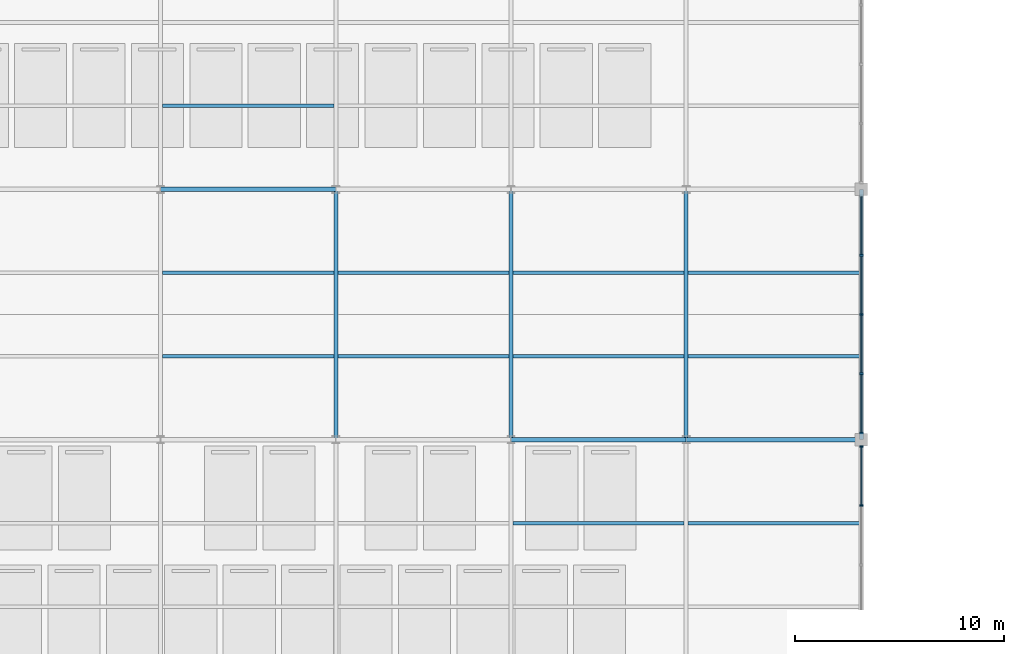
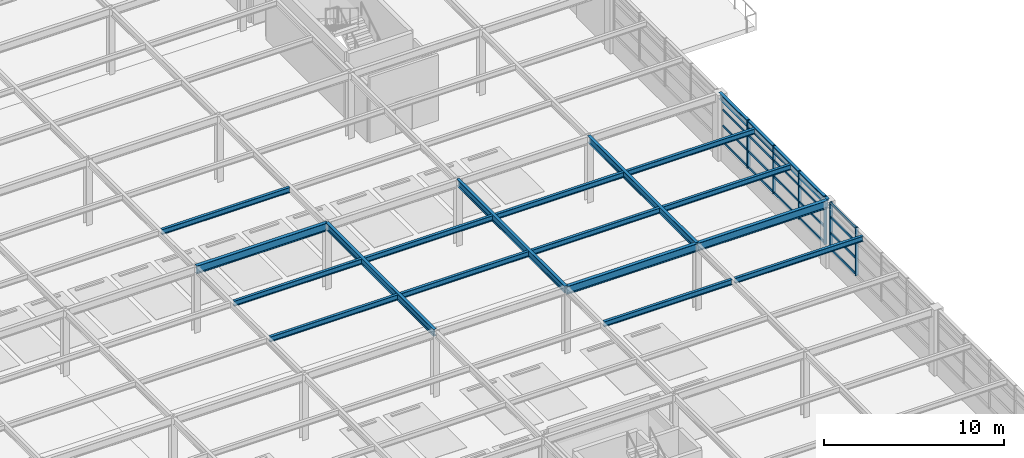
# One storey, part 41 of 82: 26 members, 18 beams, 2 elements without a shape of their own.
"""IFC4 building model written with IfcOpenShell, lengths in metres."""

from ifc_helpers import new_model, si_unit, direction, frame, origin, origin_2d, place, context, subcontext, project, spatial, rectangle, i_section, extrude, material, layer, layer_set, material_profile, profile_set, type_object, element, aggregate, save


model = new_model("IFC4")

# Units and contexts
model_context = context("Model", 3, precision=1e-05, world=origin(), true_north=direction((0.0, 1.0)))
body_context = subcontext(model_context, "Body", "Model", "MODEL_VIEW")
ifc_project = project(units=[si_unit("LENGTHUNIT", "METRE"), si_unit("AREAUNIT", "SQUARE_METRE"), si_unit("VOLUMEUNIT", "CUBIC_METRE"), si_unit("PLANEANGLEUNIT", "RADIAN"), si_unit("MASSUNIT", "GRAM", prefix="KILO")], contexts=[model_context])

# Site, building, storey
site_placement = place(None, origin())
site = spatial("IfcSite", under=ifc_project, at=site_placement, CompositionType="ELEMENT")
building_placement = place(site_placement, origin())
building = spatial("IfcBuilding", under=site, at=building_placement, Name="Sitalva Quay Ferry Terminal", CompositionType="ELEMENT")
storey_placement = place(building_placement, frame((0.0, 0.0, 5.39990234375)))
storey = spatial("IfcBuildingStorey", under=building, at=storey_placement, Name="L02", CompositionType="ELEMENT", Elevation=5.39990234375)

# Beams
ifc_material_1 = material(Name="Structural Steel S355JR", Category="steel")
ifc_material_profile_1 = material_profile(ifc_material_1, i_section(OverallWidth=0.19091796875, OverallDepth=0.4599609375, WebThickness=0.010009765625, FlangeThickness=0.01611328125, FilletRadius=0.013916015625, at=origin_2d()), Name="W460x82")
ifc_profile_set_1 = profile_set([ifc_material_profile_1], Name="Structural Steel S355JR")
beam_type_1 = type_object("IfcBeamType", Name="Beam_W460x82", PredefinedType="BEAM", material=ifc_profile_set_1)
for number, where, z_axis, x_axis, name in (
    (1, (142.800048828125, 42.0, 4.22021484375), (0.0, 1.0, 0.0), (-1.0, 0.0, 0.0), "L02 Primary Y girder 0844"),
    (2, (151.199951171875, 42.0, 4.22021484375), (0.0, 1.0, 0.0), (-1.0, 0.0, 0.0), "L02 Primary Y girder 0849"),
    (3, (159.60009765625, 42.0, 4.22021484375), (0.0, 1.0, 0.0), (-1.0, 0.0, 0.0), "L02 Primary Y girder 0854"),
    (4, (168.0, 42.0, 4.22021484375), (0.0, 1.0, 0.0), (-1.0, 0.0, 0.0), "L02 Primary Y girder 0859"),
):
    element("IfcBeam", number, at=place(storey_placement, frame(where, z_axis=z_axis, x_axis=x_axis)), inside=storey, type_object=beam_type_1, Name=name, PredefinedType="BEAM", context=body_context, shape_type="SweptSolid", body=[
        extrude(i_section(OverallWidth=0.19091796875, OverallDepth=0.4599609375, WebThickness=0.010009765625, FlangeThickness=0.01611328125, FilletRadius=0.013916015625, at=origin_2d()), origin(), (0.0, 0.0, 1.0), 12.0),
    ])
ifc_material_2 = material(Name="Structural Steel S355JR", Category="steel")
ifc_material_profile_2 = material_profile(ifc_material_2, i_section(OverallWidth=0.2119140625, OverallDepth=0.5439453125, WebThickness=0.01318359375, FlangeThickness=0.021240234375, FilletRadius=0.014892578125, at=origin_2d()), Name="W530x123")
ifc_profile_set_2 = profile_set([ifc_material_profile_2], Name="Structural Steel S355JR")
beam_type_2 = type_object("IfcBeamType", Name="Girder_W530x123", PredefinedType="USERDEFINED", material=ifc_profile_set_2)
beam_1_placement = place(storey_placement, frame((151.199951171875, 42.0, 4.177978515625), z_axis=(1.0, 0.0, 0.0), x_axis=(0.0, 1.0, 0.0)))
element("IfcBeam", 5, at=beam_1_placement, inside=storey, type_object=beam_type_2, Name="L02 Primary X girder 0777", ObjectType="GIRDER", PredefinedType="USERDEFINED", context=body_context, shape_type="SweptSolid", body=[
    extrude(i_section(OverallWidth=0.2119140625, OverallDepth=0.5439453125, WebThickness=0.01318359375, FlangeThickness=0.021240234375, FilletRadius=0.014892578125, at=origin_2d()), origin(), (0.0, 0.0, 1.0), 8.400146484375),
])
beam_2_placement = place(storey_placement, frame((159.60009765625, 42.0, 4.177978515625), z_axis=(1.0, 0.0, 0.0), x_axis=(0.0, 1.0, 0.0)))
element("IfcBeam", 6, at=beam_2_placement, inside=storey, type_object=beam_type_2, Name="L02 Primary X girder 0778", ObjectType="GIRDER", PredefinedType="USERDEFINED", context=body_context, shape_type="SweptSolid", body=[
    extrude(i_section(OverallWidth=0.2119140625, OverallDepth=0.5439453125, WebThickness=0.01318359375, FlangeThickness=0.021240234375, FilletRadius=0.014892578125, at=origin_2d()), origin(), (0.0, 0.0, 1.0), 8.39990234375),
])
beam_3_placement = place(storey_placement, frame((134.39990234375, 54.0, 4.177978515625), z_axis=(1.0, 0.0, 0.0), x_axis=(0.0, 1.0, 0.0)))
element("IfcBeam", 7, at=beam_3_placement, inside=storey, type_object=beam_type_2, Name="L02 Primary X girder 0785", ObjectType="GIRDER", PredefinedType="USERDEFINED", context=body_context, shape_type="SweptSolid", body=[
    extrude(i_section(OverallWidth=0.2119140625, OverallDepth=0.5439453125, WebThickness=0.01318359375, FlangeThickness=0.021240234375, FilletRadius=0.014892578125, at=origin_2d()), origin(), (0.0, 0.0, 1.0), 8.400146484375),
])
ifc_material_3 = material(Name="Structural Steel S355JR", Category="steel")
ifc_material_profile_3 = material_profile(ifc_material_3, i_section(OverallWidth=0.172119140625, OverallDepth=0.35791015625, WebThickness=0.0078125, FlangeThickness=0.01318359375, FilletRadius=0.011962890625, at=origin_2d()), Name="W360x57")
ifc_profile_set_3 = profile_set([ifc_material_profile_3], Name="Structural Steel S355JR")
beam_type_3 = type_object("IfcBeamType", Name="Joist_W360x57", PredefinedType="JOIST", material=ifc_profile_set_3)
for number, where, z_axis, x_axis, name in (
    (8, (151.29541015625, 38.0, 4.27099609375), (1.0, 0.0, 0.0), (0.0, 1.0, 0.0), "L02 Secondary joist 0898"),
    (9, (159.695556640625, 38.0, 4.27099609375), (1.0, 0.0, 0.0), (0.0, 1.0, 0.0), "L02 Secondary joist 0899"),
    (10, (134.49560546875, 46.0, 4.27099609375), (1.0, 0.0, 0.0), (0.0, 1.0, 0.0), "L02 Secondary joist 0906"),
    (11, (142.8955078125, 46.0, 4.27099609375), (1.0, 0.0, 0.0), (0.0, 1.0, 0.0), "L02 Secondary joist 0907"),
    (12, (151.29541015625, 46.0, 4.27099609375), (1.0, 0.0, 0.0), (0.0, 1.0, 0.0), "L02 Secondary joist 0908"),
    (13, (159.695556640625, 46.0, 4.27099609375), (1.0, 0.0, 0.0), (0.0, 1.0, 0.0), "L02 Secondary joist 0909"),
    (14, (134.49560546875, 50.0, 4.27099609375), (1.0, 0.0, 0.0), (0.0, 1.0, 0.0), "L02 Secondary joist 0916"),
    (15, (142.8955078125, 50.0, 4.27099609375), (1.0, 0.0, 0.0), (0.0, 1.0, 0.0), "L02 Secondary joist 0917"),
    (16, (151.29541015625, 50.0, 4.27099609375), (1.0, 0.0, 0.0), (0.0, 1.0, 0.0), "L02 Secondary joist 0918"),
    (17, (159.695556640625, 50.0, 4.27099609375), (1.0, 0.0, 0.0), (0.0, 1.0, 0.0), "L02 Secondary joist 0919"),
    (18, (134.49560546875, 58.0, 4.27099609375), (1.0, 0.0, 0.0), (0.0, 1.0, 0.0), "L02 Secondary joist 0926"),
):
    element("IfcBeam", number, at=place(storey_placement, frame(where, z_axis=z_axis, x_axis=x_axis)), inside=storey, type_object=beam_type_3, Name=name, PredefinedType="JOIST", context=body_context, shape_type="SweptSolid", body=[
        extrude(i_section(OverallWidth=0.172119140625, OverallDepth=0.35791015625, WebThickness=0.0078125, FlangeThickness=0.01318359375, FilletRadius=0.011962890625, at=origin_2d()), origin(), (0.0, 0.0, 1.0), 8.208984375),
    ])

# Curtain wall, members
ifc_material_4 = material(Name="Anodised Aluminium & Low-E Glazing", Category="aluminium")
ifc_layer = layer(ifc_material_4, 0.159912109375)
ifc_layer_set = layer_set([ifc_layer], Name="Anodised Aluminium & Low-E Glazing")
curtain_wall_type = type_object("IfcCurtainWallType", Name="CW_Coastal_Louvred", PredefinedType="USERDEFINED", material=ifc_layer_set)
curtain_wall_1_placement = place(storey_placement, origin())
curtain_wall_1 = element("IfcCurtainWall", 19, at=curtain_wall_1_placement, inside=storey, type_object=curtain_wall_type, Name="L02 vehicle deck east ventilation screen (CW-L02-095)", ObjectType="CURTAIN_WALL", PredefinedType="USERDEFINED")
ifc_material_5 = material(Name="Anodised Aluminium 6063-T6", Category="aluminium")
ifc_material_profile_4 = material_profile(ifc_material_5, rectangle(XDim=0.080078125, YDim=0.18505859375, at=origin_2d()), Name="ALU80x185")
ifc_profile_set_4 = profile_set([ifc_material_profile_4], Name="Anodised Aluminium 6063-T6")
member_type_1 = type_object("IfcMemberType", Name="Mullion_Alu_80x185", PredefinedType="MULLION", material=ifc_profile_set_4)
member_1_placement = place(storey_placement, frame((168.0, 38.840087890625, 1.2001953125), z_axis=(0.0, 0.0, 1.0), x_axis=(0.0, 1.0, 0.0)))
member_1 = element("IfcMember", 20, at=member_1_placement, type_object=member_type_1, Name="CW-L02-095-M3", PredefinedType="MULLION", context=body_context, shape_type="SweptSolid", body=[
    extrude(rectangle(XDim=0.080078125, YDim=0.18505859375, at=origin_2d()), origin(), (0.0, 0.0, 1.0), 3.25),
])
member_2_placement = place(storey_placement, frame((168.0, 41.679931640625, 1.2001953125), z_axis=(0.0, 0.0, 1.0), x_axis=(0.0, 1.0, 0.0)))
member_2 = element("IfcMember", 21, at=member_2_placement, type_object=member_type_1, Name="CW-L02-095-M4", PredefinedType="MULLION", context=body_context, shape_type="SweptSolid", body=[
    extrude(rectangle(XDim=0.080078125, YDim=0.18505859375, at=origin_2d()), origin(), (0.0, 0.0, 1.0), 3.25),
])

curtain_wall_2_placement = place(storey_placement, origin())
curtain_wall_2 = element("IfcCurtainWall", 22, at=curtain_wall_2_placement, inside=storey, type_object=curtain_wall_type, Name="L02 vehicle deck east ventilation screen (CW-L02-097)", ObjectType="CURTAIN_WALL", PredefinedType="USERDEFINED")
member_3_placement = place(storey_placement, frame((168.0, 42.320068359375, 1.2001953125), z_axis=(0.0, 0.0, 1.0), x_axis=(0.0, 1.0, 0.0)))
member_3 = element("IfcMember", 23, at=member_3_placement, type_object=member_type_1, Name="CW-L02-097-M0", PredefinedType="MULLION", context=body_context, shape_type="SweptSolid", body=[
    extrude(rectangle(XDim=0.080078125, YDim=0.18505859375, at=origin_2d()), origin(), (0.0, 0.0, 1.0), 3.25),
])
member_4_placement = place(storey_placement, frame((168.0, 45.159912109375, 1.2001953125), z_axis=(0.0, 0.0, 1.0), x_axis=(0.0, 1.0, 0.0)))
member_4 = element("IfcMember", 24, at=member_4_placement, type_object=member_type_1, Name="CW-L02-097-M1", PredefinedType="MULLION", context=body_context, shape_type="SweptSolid", body=[
    extrude(rectangle(XDim=0.080078125, YDim=0.18505859375, at=origin_2d()), origin(), (0.0, 0.0, 1.0), 3.25),
])
member_5_placement = place(storey_placement, frame((168.0, 48.0, 1.2001953125), z_axis=(0.0, 0.0, 1.0), x_axis=(0.0, 1.0, 0.0)))
member_5 = element("IfcMember", 25, at=member_5_placement, type_object=member_type_1, Name="CW-L02-097-M2", PredefinedType="MULLION", context=body_context, shape_type="SweptSolid", body=[
    extrude(rectangle(XDim=0.080078125, YDim=0.18505859375, at=origin_2d()), origin(), (0.0, 0.0, 1.0), 3.25),
])
member_6_placement = place(storey_placement, frame((168.0, 50.840087890625, 1.2001953125), z_axis=(0.0, 0.0, 1.0), x_axis=(0.0, 1.0, 0.0)))
member_6 = element("IfcMember", 26, at=member_6_placement, type_object=member_type_1, Name="CW-L02-097-M3", PredefinedType="MULLION", context=body_context, shape_type="SweptSolid", body=[
    extrude(rectangle(XDim=0.080078125, YDim=0.18505859375, at=origin_2d()), origin(), (0.0, 0.0, 1.0), 3.25),
])

# Member
ifc_material_6 = material(Name="Anodised Aluminium 6063-T6", Category="aluminium")
ifc_material_profile_5 = material_profile(ifc_material_6, rectangle(XDim=0.074951171875, YDim=0.14990234375, at=origin_2d()), Name="ALU75x150")
ifc_profile_set_5 = profile_set([ifc_material_profile_5], Name="Anodised Aluminium 6063-T6")
member_type_2 = type_object("IfcMemberType", Name="Transom_Alu_75x140", PredefinedType="MULLION", material=ifc_profile_set_5)
member_7_placement = place(storey_placement, frame((168.0, 38.8798828125, 1.275146484375), z_axis=(0.0, 1.0, 0.0), x_axis=(-1.0, 0.0, 0.0)))
member_7 = element("IfcMember", 27, at=member_7_placement, type_object=member_type_2, Name="CW-L02-095-T3-0", ObjectType="TRANSOM", PredefinedType="USERDEFINED", context=body_context, shape_type="SweptSolid", body=[
    extrude(rectangle(XDim=0.074951171875, YDim=0.14990234375, at=origin_2d()), origin(), (0.0, 0.0, 1.0), 2.760009765625),
])

member_8_placement = place(storey_placement, frame((168.0, 38.8798828125, 2.3583984375), z_axis=(0.0, 1.0, 0.0), x_axis=(-1.0, 0.0, 0.0)))
member_8 = element("IfcMember", 28, at=member_8_placement, type_object=member_type_2, Name="CW-L02-095-T3-1", ObjectType="TRANSOM", PredefinedType="USERDEFINED", context=body_context, shape_type="SweptSolid", body=[
    extrude(rectangle(XDim=0.074951171875, YDim=0.14990234375, at=origin_2d()), origin(), (0.0, 0.0, 1.0), 2.760009765625),
])

member_9_placement = place(storey_placement, frame((168.0, 38.8798828125, 3.441650390625), z_axis=(0.0, 1.0, 0.0), x_axis=(-1.0, 0.0, 0.0)))
member_9 = element("IfcMember", 29, at=member_9_placement, type_object=member_type_2, Name="CW-L02-095-T3-2", ObjectType="TRANSOM", PredefinedType="USERDEFINED", context=body_context, shape_type="SweptSolid", body=[
    extrude(rectangle(XDim=0.074951171875, YDim=0.14990234375, at=origin_2d()), origin(), (0.0, 0.0, 1.0), 2.760009765625),
])

member_10_placement = place(storey_placement, frame((168.0, 38.8798828125, 4.375), z_axis=(0.0, 1.0, 0.0), x_axis=(-1.0, 0.0, 0.0)))
member_10 = element("IfcMember", 30, at=member_10_placement, type_object=member_type_2, Name="CW-L02-095-T3-3", ObjectType="TRANSOM", PredefinedType="USERDEFINED", context=body_context, shape_type="SweptSolid", body=[
    extrude(rectangle(XDim=0.074951171875, YDim=0.14990234375, at=origin_2d()), origin(), (0.0, 0.0, 1.0), 2.760009765625),
])

aggregate(curtain_wall_1, [member_1, member_2, member_7, member_8, member_9, member_10])

member_11_placement = place(storey_placement, frame((168.0, 42.360107421875, 1.275146484375), z_axis=(0.0, 1.0, 0.0), x_axis=(-1.0, 0.0, 0.0)))
member_11 = element("IfcMember", 31, at=member_11_placement, type_object=member_type_2, Name="CW-L02-097-T0-0", ObjectType="TRANSOM", PredefinedType="USERDEFINED", context=body_context, shape_type="SweptSolid", body=[
    extrude(rectangle(XDim=0.074951171875, YDim=0.14990234375, at=origin_2d()), origin(), (0.0, 0.0, 1.0), 2.760009765625),
])

member_12_placement = place(storey_placement, frame((168.0, 42.360107421875, 2.3583984375), z_axis=(0.0, 1.0, 0.0), x_axis=(-1.0, 0.0, 0.0)))
member_12 = element("IfcMember", 32, at=member_12_placement, type_object=member_type_2, Name="CW-L02-097-T0-1", ObjectType="TRANSOM", PredefinedType="USERDEFINED", context=body_context, shape_type="SweptSolid", body=[
    extrude(rectangle(XDim=0.074951171875, YDim=0.14990234375, at=origin_2d()), origin(), (0.0, 0.0, 1.0), 2.760009765625),
])

member_13_placement = place(storey_placement, frame((168.0, 42.360107421875, 3.441650390625), z_axis=(0.0, 1.0, 0.0), x_axis=(-1.0, 0.0, 0.0)))
member_13 = element("IfcMember", 33, at=member_13_placement, type_object=member_type_2, Name="CW-L02-097-T0-2", ObjectType="TRANSOM", PredefinedType="USERDEFINED", context=body_context, shape_type="SweptSolid", body=[
    extrude(rectangle(XDim=0.074951171875, YDim=0.14990234375, at=origin_2d()), origin(), (0.0, 0.0, 1.0), 2.760009765625),
])

member_14_placement = place(storey_placement, frame((168.0, 42.360107421875, 4.375), z_axis=(0.0, 1.0, 0.0), x_axis=(-1.0, 0.0, 0.0)))
member_14 = element("IfcMember", 34, at=member_14_placement, type_object=member_type_2, Name="CW-L02-097-T0-3", ObjectType="TRANSOM", PredefinedType="USERDEFINED", context=body_context, shape_type="SweptSolid", body=[
    extrude(rectangle(XDim=0.074951171875, YDim=0.14990234375, at=origin_2d()), origin(), (0.0, 0.0, 1.0), 2.760009765625),
])

member_15_placement = place(storey_placement, frame((168.0, 45.199951171875, 1.275146484375), z_axis=(0.0, 1.0, 0.0), x_axis=(-1.0, 0.0, 0.0)))
member_15 = element("IfcMember", 35, at=member_15_placement, type_object=member_type_2, Name="CW-L02-097-T1-0", ObjectType="TRANSOM", PredefinedType="USERDEFINED", context=body_context, shape_type="SweptSolid", body=[
    extrude(rectangle(XDim=0.074951171875, YDim=0.14990234375, at=origin_2d()), origin(), (0.0, 0.0, 1.0), 2.760009765625),
])

member_16_placement = place(storey_placement, frame((168.0, 45.199951171875, 2.3583984375), z_axis=(0.0, 1.0, 0.0), x_axis=(-1.0, 0.0, 0.0)))
member_16 = element("IfcMember", 36, at=member_16_placement, type_object=member_type_2, Name="CW-L02-097-T1-1", ObjectType="TRANSOM", PredefinedType="USERDEFINED", context=body_context, shape_type="SweptSolid", body=[
    extrude(rectangle(XDim=0.074951171875, YDim=0.14990234375, at=origin_2d()), origin(), (0.0, 0.0, 1.0), 2.760009765625),
])

member_17_placement = place(storey_placement, frame((168.0, 45.199951171875, 3.441650390625), z_axis=(0.0, 1.0, 0.0), x_axis=(-1.0, 0.0, 0.0)))
member_17 = element("IfcMember", 37, at=member_17_placement, type_object=member_type_2, Name="CW-L02-097-T1-2", ObjectType="TRANSOM", PredefinedType="USERDEFINED", context=body_context, shape_type="SweptSolid", body=[
    extrude(rectangle(XDim=0.074951171875, YDim=0.14990234375, at=origin_2d()), origin(), (0.0, 0.0, 1.0), 2.760009765625),
])

member_18_placement = place(storey_placement, frame((168.0, 45.199951171875, 4.375), z_axis=(0.0, 1.0, 0.0), x_axis=(-1.0, 0.0, 0.0)))
member_18 = element("IfcMember", 38, at=member_18_placement, type_object=member_type_2, Name="CW-L02-097-T1-3", ObjectType="TRANSOM", PredefinedType="USERDEFINED", context=body_context, shape_type="SweptSolid", body=[
    extrude(rectangle(XDim=0.074951171875, YDim=0.14990234375, at=origin_2d()), origin(), (0.0, 0.0, 1.0), 2.760009765625),
])

member_19_placement = place(storey_placement, frame((168.0, 48.0400390625, 1.275146484375), z_axis=(0.0, 1.0, 0.0), x_axis=(-1.0, 0.0, 0.0)))
member_19 = element("IfcMember", 39, at=member_19_placement, type_object=member_type_2, Name="CW-L02-097-T2-0", ObjectType="TRANSOM", PredefinedType="USERDEFINED", context=body_context, shape_type="SweptSolid", body=[
    extrude(rectangle(XDim=0.074951171875, YDim=0.14990234375, at=origin_2d()), origin(), (0.0, 0.0, 1.0), 2.760009765625),
])

member_20_placement = place(storey_placement, frame((168.0, 48.0400390625, 2.3583984375), z_axis=(0.0, 1.0, 0.0), x_axis=(-1.0, 0.0, 0.0)))
member_20 = element("IfcMember", 40, at=member_20_placement, type_object=member_type_2, Name="CW-L02-097-T2-1", ObjectType="TRANSOM", PredefinedType="USERDEFINED", context=body_context, shape_type="SweptSolid", body=[
    extrude(rectangle(XDim=0.074951171875, YDim=0.14990234375, at=origin_2d()), origin(), (0.0, 0.0, 1.0), 2.760009765625),
])

member_21_placement = place(storey_placement, frame((168.0, 48.0400390625, 3.441650390625), z_axis=(0.0, 1.0, 0.0), x_axis=(-1.0, 0.0, 0.0)))
member_21 = element("IfcMember", 41, at=member_21_placement, type_object=member_type_2, Name="CW-L02-097-T2-2", ObjectType="TRANSOM", PredefinedType="USERDEFINED", context=body_context, shape_type="SweptSolid", body=[
    extrude(rectangle(XDim=0.074951171875, YDim=0.14990234375, at=origin_2d()), origin(), (0.0, 0.0, 1.0), 2.760009765625),
])

member_22_placement = place(storey_placement, frame((168.0, 48.0400390625, 4.375), z_axis=(0.0, 1.0, 0.0), x_axis=(-1.0, 0.0, 0.0)))
member_22 = element("IfcMember", 42, at=member_22_placement, type_object=member_type_2, Name="CW-L02-097-T2-3", ObjectType="TRANSOM", PredefinedType="USERDEFINED", context=body_context, shape_type="SweptSolid", body=[
    extrude(rectangle(XDim=0.074951171875, YDim=0.14990234375, at=origin_2d()), origin(), (0.0, 0.0, 1.0), 2.760009765625),
])

member_23_placement = place(storey_placement, frame((168.0, 50.8798828125, 1.275146484375), z_axis=(0.0, 1.0, 0.0), x_axis=(-1.0, 0.0, 0.0)))
member_23 = element("IfcMember", 43, at=member_23_placement, type_object=member_type_2, Name="CW-L02-097-T3-0", ObjectType="TRANSOM", PredefinedType="USERDEFINED", context=body_context, shape_type="SweptSolid", body=[
    extrude(rectangle(XDim=0.074951171875, YDim=0.14990234375, at=origin_2d()), origin(), (0.0, 0.0, 1.0), 2.760009765625),
])

member_24_placement = place(storey_placement, frame((168.0, 50.8798828125, 2.3583984375), z_axis=(0.0, 1.0, 0.0), x_axis=(-1.0, 0.0, 0.0)))
member_24 = element("IfcMember", 44, at=member_24_placement, type_object=member_type_2, Name="CW-L02-097-T3-1", ObjectType="TRANSOM", PredefinedType="USERDEFINED", context=body_context, shape_type="SweptSolid", body=[
    extrude(rectangle(XDim=0.074951171875, YDim=0.14990234375, at=origin_2d()), origin(), (0.0, 0.0, 1.0), 2.760009765625),
])

member_25_placement = place(storey_placement, frame((168.0, 50.8798828125, 3.441650390625), z_axis=(0.0, 1.0, 0.0), x_axis=(-1.0, 0.0, 0.0)))
member_25 = element("IfcMember", 45, at=member_25_placement, type_object=member_type_2, Name="CW-L02-097-T3-2", ObjectType="TRANSOM", PredefinedType="USERDEFINED", context=body_context, shape_type="SweptSolid", body=[
    extrude(rectangle(XDim=0.074951171875, YDim=0.14990234375, at=origin_2d()), origin(), (0.0, 0.0, 1.0), 2.760009765625),
])

member_26_placement = place(storey_placement, frame((168.0, 50.8798828125, 4.375), z_axis=(0.0, 1.0, 0.0), x_axis=(-1.0, 0.0, 0.0)))
member_26 = element("IfcMember", 46, at=member_26_placement, type_object=member_type_2, Name="CW-L02-097-T3-3", ObjectType="TRANSOM", PredefinedType="USERDEFINED", context=body_context, shape_type="SweptSolid", body=[
    extrude(rectangle(XDim=0.074951171875, YDim=0.14990234375, at=origin_2d()), origin(), (0.0, 0.0, 1.0), 2.760009765625),
])

aggregate(curtain_wall_2, [member_3, member_4, member_5, member_6, member_11, member_12, member_13, member_14, member_15, member_16, member_17, member_18, member_19, member_20, member_21, member_22, member_23, member_24, member_25, member_26])

save(model, "model.ifc")
